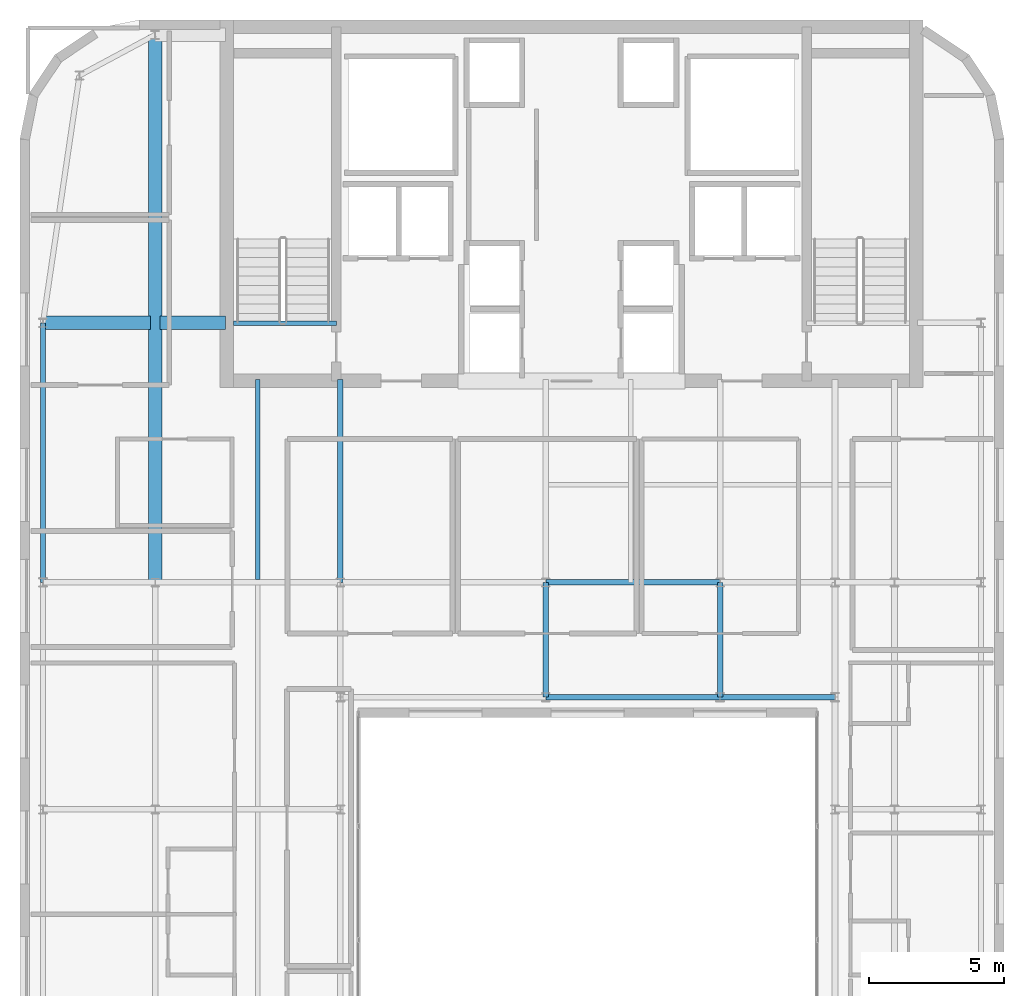
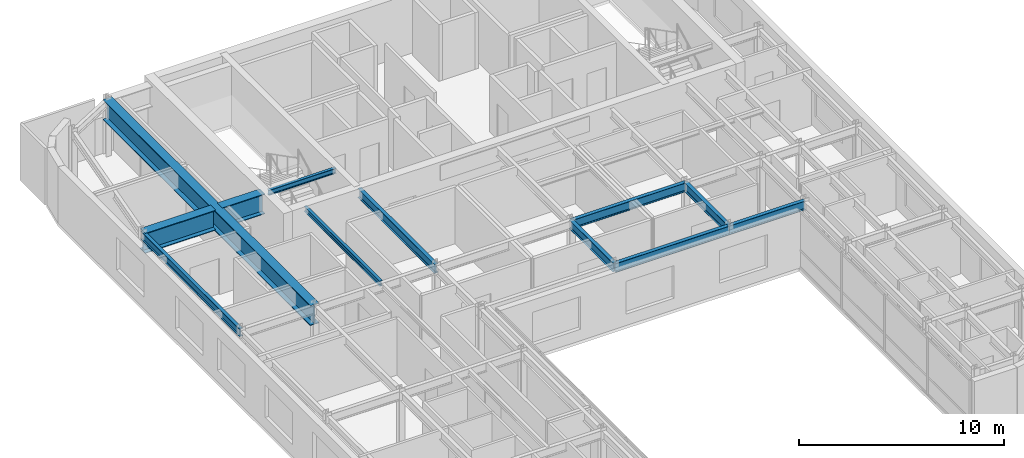
# One storey, part 10 of 18: 12 beams.
"""IFC4 building model written with IfcOpenShell, lengths in metres."""

from ifc_helpers import new_model, si_unit, direction, frame, origin, origin_2d, place, context, subcontext, project, spatial, i_section, extrude, source, transform, mapped, material, material_profile, profile_set, type_object, type_shapes, element, save


model = new_model("IFC4")

# Units and contexts
model_context = context("Model", 3, precision=1e-05, world=origin(), true_north=direction((0.0, 1.0)))
body_context = subcontext(model_context, "Body", "Model", "MODEL_VIEW")
ifc_project = project(units=[si_unit("LENGTHUNIT", "METRE"), si_unit("AREAUNIT", "SQUARE_METRE"), si_unit("VOLUMEUNIT", "CUBIC_METRE"), si_unit("PLANEANGLEUNIT", "RADIAN"), si_unit("MASSUNIT", "GRAM", prefix="KILO")], contexts=[model_context])

# Site, building, storey
site_placement = place(None, origin())
site = spatial("IfcSite", under=ifc_project, at=site_placement, CompositionType="ELEMENT")
building_placement = place(site_placement, origin())
building = spatial("IfcBuilding", under=site, at=building_placement, Name="Tolvann Quenvar Hotel", CompositionType="ELEMENT")
storey_placement = place(building_placement, frame((0.0, 0.0, 252.300048828125)))
storey = spatial("IfcBuildingStorey", under=building, at=storey_placement, Name="L67", CompositionType="ELEMENT", Elevation=252.300048828125)

# Beams
ifc_material = material(Name="Steel Grade 350", Category="steel")
ifc_material_profile_1 = material_profile(ifc_material, i_section(OverallWidth=0.5, OverallDepth=1.199951171875, WebThickness=0.01611328125, FlangeThickness=0.0400390625, at=origin_2d()), Name="1200WB455")
ifc_profile_set_1 = profile_set([ifc_material_profile_1], Name="Steel Grade 350")
beam_type_1 = type_object("IfcBeamType", Name="BM_TG_1200WB455", PredefinedType="USERDEFINED", material=ifc_profile_set_1)
shared_shape_1 = source(origin(), body_context, "Body", "SweptSolid", [
    extrude(i_section(OverallWidth=0.5, OverallDepth=1.199951171875, WebThickness=0.01611328125, FlangeThickness=0.0400390625, at=origin_2d()), origin(), (0.0, 0.0, 1.0), 2.419921875),
])
beam_1_placement = place(storey_placement, frame((7.780029296875, 34.0, 2.77001953125), z_axis=(1.0, 0.0, 0.0), x_axis=(0.0, 1.0, 0.0)))
element("IfcBeam", 1, at=beam_1_placement, inside=storey, type_object=beam_type_1, Name="BM-L67-CTW-MID2", ObjectType="TRANSFER GIRDER", PredefinedType="USERDEFINED", context=body_context, shape_type="MappedRepresentation", body=[
    mapped(shared_shape_1, transform((0.0, 0.0, 0.0), x_axis=(1.0, 0.0, 0.0), y_axis=(0.0, 1.0, 0.0), z_axis=(0.0, 0.0, 1.0), scale=1.0)),
])
ifc_material_profile_2 = material_profile(ifc_material, i_section(OverallWidth=0.166015625, OverallDepth=0.306884765625, WebThickness=0.006591796875, FlangeThickness=0.01171875, FilletRadius=0.011474609375, at=origin_2d()), Name="310UB46")
ifc_profile_set_2 = profile_set([ifc_material_profile_2], Name="Steel Grade 350")
beam_type_2 = type_object("IfcBeamType", Name="BM_JOIST_310UB46", PredefinedType="JOIST", material=ifc_profile_set_2)
shared_shape_2 = source(origin(), body_context, "Body", "SweptSolid", [
    extrude(i_section(OverallWidth=0.166015625, OverallDepth=0.306884765625, WebThickness=0.006591796875, FlangeThickness=0.01171875, FilletRadius=0.011474609375, at=origin_2d()), origin(), (0.0, 0.0, 1.0), 3.800048828125),
])
beam_2_placement = place(storey_placement, frame((10.5, 33.97998046875, 3.216552734375), z_axis=(1.0, 0.0, 0.0), x_axis=(0.0, 1.0, 0.0)))
element("IfcBeam", 2, at=beam_2_placement, inside=storey, type_object=beam_type_2, Name="BM-HDR-STC1-L68", PredefinedType="JOIST", context=body_context, shape_type="MappedRepresentation", body=[
    mapped(shared_shape_2, transform((0.0, 0.0, 0.0), x_axis=(1.0, 0.0, 0.0), y_axis=(0.0, 1.0, 0.0), z_axis=(0.0, 0.0, 1.0), scale=1.0)),
])
shared_shape_3 = source(origin(), body_context, "Body", "SweptSolid", [
    extrude(i_section(OverallWidth=0.5, OverallDepth=1.199951171875, WebThickness=0.01611328125, FlangeThickness=0.0400390625, at=origin_2d()), origin(), (0.0, 0.0, 1.0), 3.969970703125),
])
beam_3_placement = place(storey_placement, frame((3.449951171875, 34.0, 2.77001953125), z_axis=(1.0, 0.0, 0.0), x_axis=(0.0, 1.0, 0.0)))
element("IfcBeam", 3, at=beam_3_placement, inside=storey, type_object=beam_type_1, Name="BM-L67-CTW-MID1", ObjectType="TRANSFER GIRDER", PredefinedType="USERDEFINED", context=body_context, shape_type="MappedRepresentation", body=[
    mapped(shared_shape_3, transform((0.0, 0.0, 0.0), x_axis=(1.0, 0.0, 0.0), y_axis=(0.0, 1.0, 0.0), z_axis=(0.0, 0.0, 1.0), scale=1.0)),
])
ifc_material_profile_3 = material_profile(ifc_material, i_section(OverallWidth=0.19091796875, OverallDepth=0.4599609375, WebThickness=0.010009765625, FlangeThickness=0.01611328125, FilletRadius=0.011474609375, at=origin_2d()), Name="460UB82")
ifc_profile_set_3 = profile_set([ifc_material_profile_3], Name="Steel Grade 350")
beam_type_3 = type_object("IfcBeamType", Name="BM_SPAND_460UB82", PredefinedType="SPANDREL", material=ifc_profile_set_3)
shared_shape_4 = source(origin(), body_context, "Body", "SweptSolid", [
    extrude(i_section(OverallWidth=0.19091796875, OverallDepth=0.4599609375, WebThickness=0.010009765625, FlangeThickness=0.01611328125, FilletRadius=0.011474609375, at=origin_2d()), origin(), (0.0, 0.0, 1.0), 9.60009765625),
])
type_shapes(beam_type_3, [shared_shape_4])
beam_4_placement = place(storey_placement, frame((3.449951171875, 24.39990234375, 3.139892578125), z_axis=(0.0, 1.0, 0.0), x_axis=(-1.0, 0.0, 0.0)))
element("IfcBeam", 4, at=beam_4_placement, inside=storey, type_object=beam_type_3, Name="BM-L67-FLK-W1", PredefinedType="SPANDREL", context=body_context, shape_type="MappedRepresentation", body=[
    mapped(shared_shape_4, transform((0.0, 0.0, 0.0), x_axis=(1.0, 0.0, 0.0), y_axis=(0.0, 1.0, 0.0), z_axis=(0.0, 0.0, 1.0), scale=1.0)),
])
shared_shape_5 = source(origin(), body_context, "Body", "SweptSolid", [
    extrude(i_section(OverallWidth=0.5, OverallDepth=1.199951171875, WebThickness=0.01611328125, FlangeThickness=0.0400390625, at=origin_2d()), origin(), (0.0, 0.0, 1.0), 20.25),
])
type_shapes(beam_type_1, [shared_shape_1, shared_shape_3, shared_shape_5])
beam_5_placement = place(storey_placement, frame((7.60009765625, 24.39990234375, 2.77001953125), z_axis=(0.0, 1.0, 0.0), x_axis=(-1.0, 0.0, 0.0)))
element("IfcBeam", 5, at=beam_5_placement, inside=storey, type_object=beam_type_1, Name="BM-L67-FLK-WC", ObjectType="TRANSFER GIRDER", PredefinedType="USERDEFINED", context=body_context, shape_type="MappedRepresentation", body=[
    mapped(shared_shape_5, transform((0.0, 0.0, 0.0), x_axis=(1.0, 0.0, 0.0), y_axis=(0.0, 1.0, 0.0), z_axis=(0.0, 0.0, 1.0), scale=1.0)),
])
ifc_material_profile_4 = material_profile(ifc_material, i_section(OverallWidth=0.208984375, OverallDepth=0.532958984375, WebThickness=0.01025390625, FlangeThickness=0.015625, FilletRadius=0.013916015625, at=origin_2d()), Name="530UB92")
ifc_profile_set_4 = profile_set([ifc_material_profile_4], Name="Steel Grade 350")
beam_type_4 = type_object("IfcBeamType", Name="BM_GIRD_530UB92", PredefinedType="BEAM", material=ifc_profile_set_4)
shared_shape_6 = source(origin(), body_context, "Body", "SweptSolid", [
    extrude(i_section(OverallWidth=0.208984375, OverallDepth=0.532958984375, WebThickness=0.01025390625, FlangeThickness=0.015625, FilletRadius=0.013916015625, at=origin_2d()), origin(), (0.0, 0.0, 1.0), 6.449951171875),
])
for number, where, z_axis, x_axis, name in (
    (6, (22.050048828125, 20.14990234375, 3.103515625), (1.0, 0.0, 0.0), (0.0, 1.0, 0.0), "BM-L67-EW-4P-E4P-M4P"),
    (7, (22.050048828125, 24.39990234375, 3.103515625), (1.0, 0.0, 0.0), (0.0, 1.0, 0.0), "BM-L67-EW-5-E5-M5"),
):
    element("IfcBeam", number, at=place(storey_placement, frame(where, z_axis=z_axis, x_axis=x_axis)), inside=storey, type_object=beam_type_4, Name=name, PredefinedType="BEAM", context=body_context, shape_type="MappedRepresentation", body=[
        mapped(shared_shape_6, transform((0.0, 0.0, 0.0), x_axis=(1.0, 0.0, 0.0), y_axis=(0.0, 1.0, 0.0), z_axis=(0.0, 0.0, 1.0), scale=1.0)),
    ])
shared_shape_7 = source(origin(), body_context, "Body", "SweptSolid", [
    extrude(i_section(OverallWidth=0.208984375, OverallDepth=0.532958984375, WebThickness=0.01025390625, FlangeThickness=0.015625, FilletRadius=0.013916015625, at=origin_2d()), origin(), (0.0, 0.0, 1.0), 4.25),
])
for number, where, z_axis, x_axis, name in (
    (8, (28.5, 20.14990234375, 3.103515625), (1.0, 0.0, 0.0), (0.0, 1.0, 0.0), "BM-L67-EW-4P-M4P-FP4P"),
    (9, (22.050048828125, 20.14990234375, 3.103515625), (0.0, 1.0, 0.0), (-1.0, 0.0, 0.0), "BM-L67-NS-E4P-E5"),
    (10, (28.5, 20.14990234375, 3.103515625), (0.0, 1.0, 0.0), (-1.0, 0.0, 0.0), "BM-L67-NS-M4P-M5"),
):
    element("IfcBeam", number, at=place(storey_placement, frame(where, z_axis=z_axis, x_axis=x_axis)), inside=storey, type_object=beam_type_4, Name=name, PredefinedType="BEAM", context=body_context, shape_type="MappedRepresentation", body=[
        mapped(shared_shape_7, transform((0.0, 0.0, 0.0), x_axis=(1.0, 0.0, 0.0), y_axis=(0.0, 1.0, 0.0), z_axis=(0.0, 0.0, 1.0), scale=1.0)),
    ])
shared_shape_8 = source(origin(), body_context, "Body", "SweptSolid", [
    extrude(i_section(OverallWidth=0.208984375, OverallDepth=0.532958984375, WebThickness=0.01025390625, FlangeThickness=0.015625, FilletRadius=0.013916015625, at=origin_2d()), origin(), (0.0, 0.0, 1.0), 7.5),
])
type_shapes(beam_type_4, [shared_shape_6, shared_shape_7, shared_shape_8])
beam_6_placement = place(storey_placement, frame((14.449951171875, 24.39990234375, 3.103515625), z_axis=(0.0, 1.0, 0.0), x_axis=(-1.0, 0.0, 0.0)))
element("IfcBeam", 11, at=beam_6_placement, inside=storey, type_object=beam_type_4, Name="BM-L67-CORE-D5", PredefinedType="BEAM", context=body_context, shape_type="MappedRepresentation", body=[
    mapped(shared_shape_8, transform((0.0, 0.0, 0.0), x_axis=(1.0, 0.0, 0.0), y_axis=(0.0, 1.0, 0.0), z_axis=(0.0, 0.0, 1.0), scale=1.0)),
])
shared_shape_9 = source(origin(), body_context, "Body", "SweptSolid", [
    extrude(i_section(OverallWidth=0.166015625, OverallDepth=0.306884765625, WebThickness=0.006591796875, FlangeThickness=0.01171875, FilletRadius=0.011474609375, at=origin_2d()), origin(), (0.0, 0.0, 1.0), 7.4013671875),
])
type_shapes(beam_type_2, [shared_shape_2, shared_shape_9])
beam_7_placement = place(storey_placement, frame((11.39990234375, 24.49853515625, 3.216552734375), z_axis=(0.0, 1.0, 0.0), x_axis=(-1.0, 0.0, 0.0)))
element("IfcBeam", 12, at=beam_7_placement, inside=storey, type_object=beam_type_2, Name="BJ-L67-114-244", PredefinedType="JOIST", context=body_context, shape_type="MappedRepresentation", body=[
    mapped(shared_shape_9, transform((0.0, 0.0, 0.0), x_axis=(1.0, 0.0, 0.0), y_axis=(0.0, 1.0, 0.0), z_axis=(0.0, 0.0, 1.0), scale=1.0)),
])

save(model, "model.ifc")
